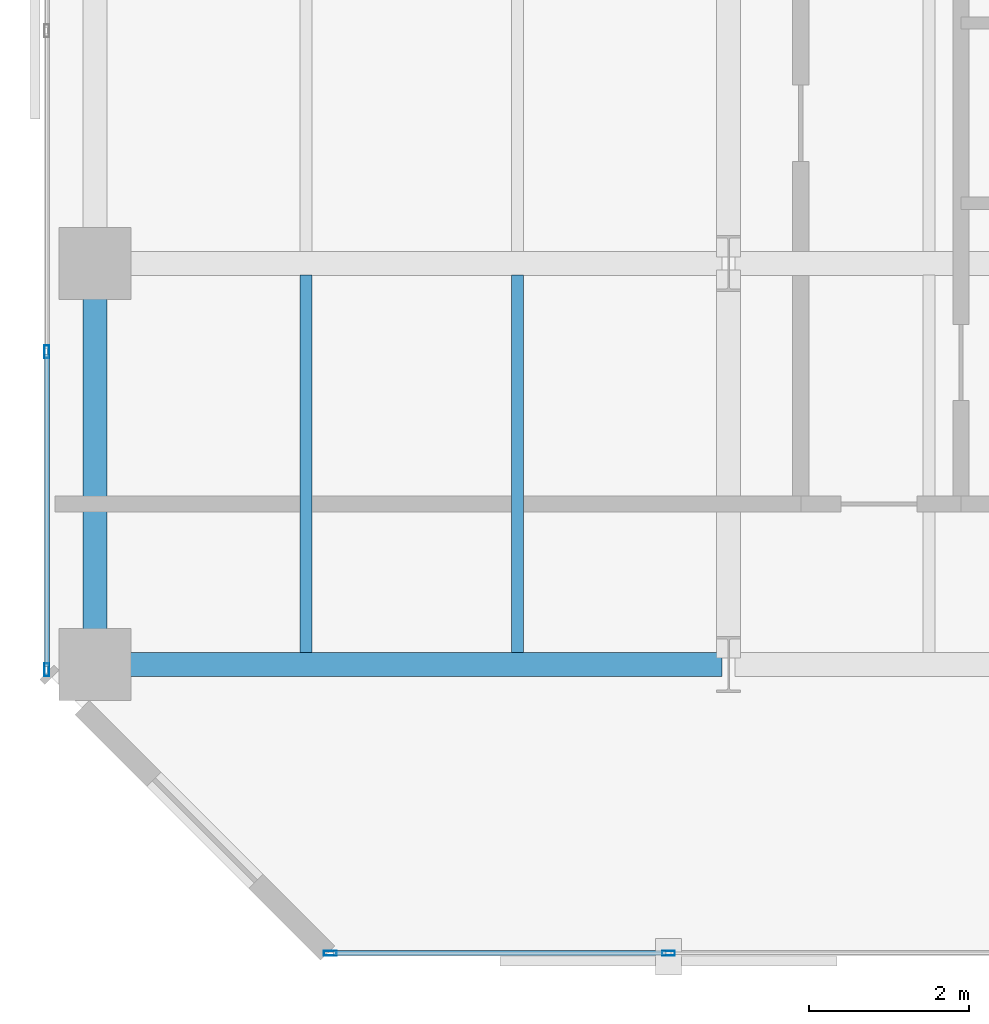
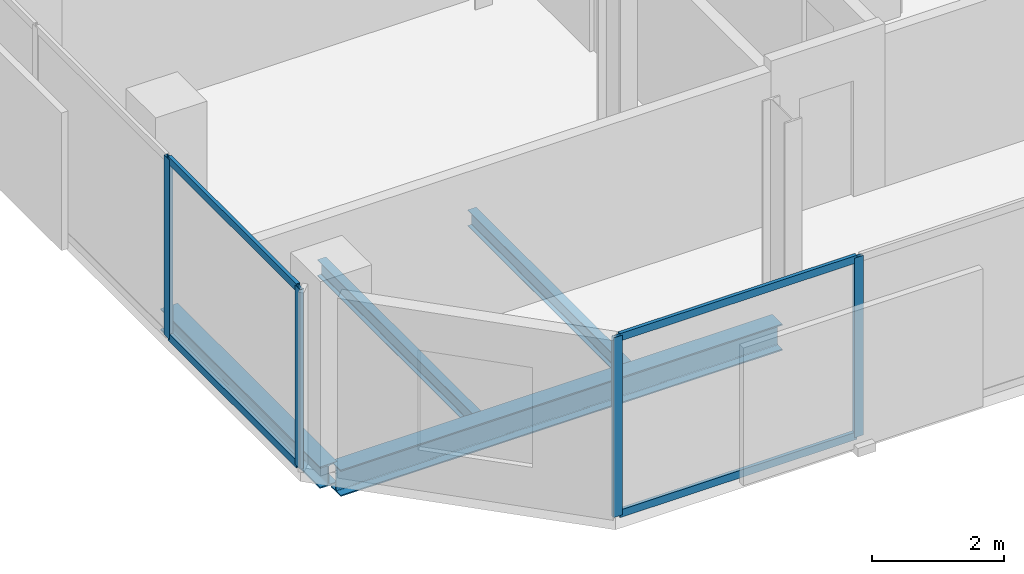
# One storey, part 3 of 34: 8 members, 4 beams, 2 elements without a shape of their own.
"""IFC4 building model written with IfcOpenShell, lengths in metres."""

from ifc_helpers import new_model, si_unit, direction, frame, origin, origin_2d, place, context, subcontext, project, spatial, hollow_rectangle, i_section, extrude, material, layer, layer_set, material_profile, profile_set, type_object, element, aggregate, save


model = new_model("IFC4")

# Units and contexts
model_context = context("Model", 3, precision=1e-05, world=origin(), true_north=direction((0.0, 1.0)))
body_context = subcontext(model_context, "Body", "Model", "MODEL_VIEW")
ifc_project = project(units=[si_unit("LENGTHUNIT", "METRE"), si_unit("AREAUNIT", "SQUARE_METRE"), si_unit("VOLUMEUNIT", "CUBIC_METRE"), si_unit("PLANEANGLEUNIT", "RADIAN"), si_unit("MASSUNIT", "GRAM", prefix="KILO")], contexts=[model_context])

# Site, building, storey
site_placement = place(None, origin())
site = spatial("IfcSite", under=ifc_project, at=site_placement, CompositionType="ELEMENT")
building_placement = place(site_placement, origin())
building = spatial("IfcBuilding", under=site, at=building_placement, Name="Catumbela Crestline Tower", CompositionType="ELEMENT")
storey_placement = place(building_placement, frame((0.0, 0.0, 93.6)))
storey = spatial("IfcBuildingStorey", under=building, at=storey_placement, Name="L23", CompositionType="ELEMENT", Elevation=93.6)

# Beams
ifc_material_1 = material(Name="Structural steel S355J2", Category="steel")
ifc_material_profile_1 = material_profile(ifc_material_1, i_section(OverallWidth=0.3, OverallDepth=0.49, WebThickness=0.012, FlangeThickness=0.023, FilletRadius=0.027, at=origin_2d()), Name="HEA 500")
ifc_profile_set_1 = profile_set([ifc_material_profile_1], Name="Structural steel S355J2")
beam_type_1 = type_object("IfcBeamType", Name="BG-HEA500", PredefinedType="BEAM", material=ifc_profile_set_1)
beam_1_placement = place(storey_placement, frame((0.68, 8.6, -0.505), z_axis=(1.0, 0.0, 0.0), x_axis=(0.0, 1.0, 0.0)))
element("IfcBeam", 1, at=beam_1_placement, inside=storey, type_object=beam_type_1, Name="L23 Beam BM-L23-WEW43", PredefinedType="BEAM", context=body_context, shape_type="SweptSolid", body=[
    extrude(i_section(OverallWidth=0.3, OverallDepth=0.49, WebThickness=0.012, FlangeThickness=0.023, FilletRadius=0.027, at=origin_2d()), origin(), (0.0, 0.0, 1.0), 7.74),
])
ifc_material_profile_2 = material_profile(ifc_material_1, i_section(OverallWidth=0.15, OverallDepth=0.3, WebThickness=0.0071, FlangeThickness=0.0107, FilletRadius=0.015, at=origin_2d()), Name="IPE 300")
ifc_profile_set_2 = profile_set([ifc_material_profile_2], Name="Structural steel S355J2")
beam_type_2 = type_object("IfcBeamType", Name="BJ-IPE300", PredefinedType="JOIST", material=ifc_profile_set_2)
for number, where, z_axis, x_axis, name in (
    (2, (3.233, 8.747, -0.41), (0.0, 1.0, 0.0), (-1.0, 0.0, 0.0), "L23 Joist JS-L23-WG63"),
    (3, (5.867, 8.747, -0.41), (0.0, 1.0, 0.0), (-1.0, 0.0, 0.0), "L23 Joist JS-L23-WG64"),
):
    element("IfcBeam", number, at=place(storey_placement, frame(where, z_axis=z_axis, x_axis=x_axis)), inside=storey, type_object=beam_type_2, Name=name, PredefinedType="JOIST", context=body_context, shape_type="SweptSolid", body=[
        extrude(i_section(OverallWidth=0.15, OverallDepth=0.3, WebThickness=0.0071, FlangeThickness=0.0107, FilletRadius=0.015, at=origin_2d()), origin(), (0.0, 0.0, 1.0), 4.706),
    ])

# Curtain wall, members
ifc_material_2 = material(Name="Aluminium alloy AW-6060-T66", Category="aluminium")
ifc_layer = layer(ifc_material_2, 0.18, Name="Aluminium alloy AW-6060-T66")
ifc_layer_set = layer_set([ifc_layer], Name="Aluminium alloy AW-6060-T66")
curtain_wall_type = type_object("IfcCurtainWallType", Name="CWU-Z2", PredefinedType="USERDEFINED", material=ifc_layer_set)
curtain_wall_1_placement = place(storey_placement, origin())
curtain_wall_1 = element("IfcCurtainWall", 4, at=curtain_wall_1_placement, inside=storey, type_object=curtain_wall_type, Name="L23 Unitised Curtain Wall CW-L23-E0S1", ObjectType="UNITISED", PredefinedType="USERDEFINED")
ifc_material_profile_3 = material_profile(ifc_material_2, hollow_rectangle(XDim=0.06, YDim=0.16, WallThickness=0.004, at=origin_2d()), Name="ALU 160x60x4")
ifc_profile_set_3 = profile_set([ifc_material_profile_3], Name="Aluminium alloy AW-6060-T66")
member_type_1 = type_object("IfcMemberType", Name="MUL-160X60", PredefinedType="MULLION", material=ifc_profile_set_3)
member_1_placement = place(storey_placement, frame((3.5325, 5.0, 0.0), z_axis=(0.0, 0.0, 1.0), x_axis=(0.0, 1.0, 0.0)))
member_1 = element("IfcMember", 5, at=member_1_placement, type_object=member_type_1, Name="CWU-Z2 mullion 1", PredefinedType="MULLION", context=body_context, shape_type="SweptSolid", body=[
    extrude(hollow_rectangle(XDim=0.06, YDim=0.16, WallThickness=0.004, at=origin_2d()), origin(), (0.0, 0.0, 1.0), 3.33),
])
member_2_placement = place(storey_placement, frame((7.75, 5.0, 0.0), z_axis=(0.0, 0.0, 1.0), x_axis=(0.0, 1.0, 0.0)))
member_2 = element("IfcMember", 6, at=member_2_placement, type_object=member_type_1, Name="CWU-Z2 mullion 2", PredefinedType="MULLION", context=body_context, shape_type="SweptSolid", body=[
    extrude(hollow_rectangle(XDim=0.06, YDim=0.16, WallThickness=0.004, at=origin_2d()), origin(), (0.0, 0.0, 1.0), 3.33),
])

curtain_wall_2_placement = place(storey_placement, origin())
curtain_wall_2 = element("IfcCurtainWall", 7, at=curtain_wall_2_placement, inside=storey, type_object=curtain_wall_type, Name="L23 Unitised Curtain Wall CW-L23-E9S1", ObjectType="UNITISED", PredefinedType="USERDEFINED")
member_3_placement = place(storey_placement, frame((0.0, 12.5, 0.0), z_axis=(0.0, 0.0, 1.0), x_axis=(1.0, 0.0, 0.0)))
member_3 = element("IfcMember", 8, at=member_3_placement, type_object=member_type_1, Name="CWU-Z2 mullion 9", PredefinedType="MULLION", context=body_context, shape_type="SweptSolid", body=[
    extrude(hollow_rectangle(XDim=0.06, YDim=0.16, WallThickness=0.004, at=origin_2d()), origin(), (0.0, 0.0, 1.0), 3.33),
])
member_4_placement = place(storey_placement, frame((0.0, 8.5325, 0.0), z_axis=(0.0, 0.0, 1.0), x_axis=(1.0, 0.0, 0.0)))
member_4 = element("IfcMember", 9, at=member_4_placement, type_object=member_type_1, Name="CWU-Z2 mullion 10", PredefinedType="MULLION", context=body_context, shape_type="SweptSolid", body=[
    extrude(hollow_rectangle(XDim=0.06, YDim=0.16, WallThickness=0.004, at=origin_2d()), origin(), (0.0, 0.0, 1.0), 3.33),
])

# Beam
ifc_material_profile_4 = material_profile(ifc_material_1, i_section(OverallWidth=0.3, OverallDepth=0.4, WebThickness=0.0135, FlangeThickness=0.024, FilletRadius=0.027, at=origin_2d()), Name="HEB 400")
ifc_profile_set_4 = profile_set([ifc_material_profile_4], Name="Structural steel S355J2")
beam_type_3 = type_object("IfcBeamType", Name="BS-HEB400", PredefinedType="SPANDREL", material=ifc_profile_set_4)
beam_2_placement = place(storey_placement, frame((0.6, 8.68, -0.46), z_axis=(0.0, 1.0, 0.0), x_axis=(-1.0, 0.0, 0.0)))
element("IfcBeam", 10, at=beam_2_placement, inside=storey, type_object=beam_type_3, Name="L23 Spandrel SP-L23-WNS52", PredefinedType="SPANDREL", context=body_context, shape_type="SweptSolid", body=[
    extrude(i_section(OverallWidth=0.3, OverallDepth=0.4, WebThickness=0.0135, FlangeThickness=0.024, FilletRadius=0.027, at=origin_2d()), origin(), (0.0, 0.0, 1.0), 4.84),
])

# Member
ifc_material_profile_5 = material_profile(ifc_material_2, hollow_rectangle(XDim=0.06, YDim=0.14, WallThickness=0.004, at=origin_2d()), Name="ALU 140x60x4")
ifc_profile_set_5 = profile_set([ifc_material_profile_5], Name="Aluminium alloy AW-6060-T66")
member_type_2 = type_object("IfcMemberType", Name="TRN-140X60", PredefinedType="USERDEFINED", material=ifc_profile_set_5)
member_5_placement = place(storey_placement, frame((3.565, 5.0, 0.03), z_axis=(1.0, 0.0, 0.0), x_axis=(0.0, 1.0, 0.0)))
member_5 = element("IfcMember", 11, at=member_5_placement, type_object=member_type_2, Name="CWU-Z2 transom 1.1", ObjectType="TRANSOM", PredefinedType="USERDEFINED", context=body_context, shape_type="SweptSolid", body=[
    extrude(hollow_rectangle(XDim=0.06, YDim=0.14, WallThickness=0.004, at=origin_2d()), origin(), (0.0, 0.0, 1.0), 4.1525),
])

member_6_placement = place(storey_placement, frame((3.565, 5.0, 3.3), z_axis=(1.0, 0.0, 0.0), x_axis=(0.0, 1.0, 0.0)))
member_6 = element("IfcMember", 12, at=member_6_placement, type_object=member_type_2, Name="CWU-Z2 transom 1.2", ObjectType="TRANSOM", PredefinedType="USERDEFINED", context=body_context, shape_type="SweptSolid", body=[
    extrude(hollow_rectangle(XDim=0.06, YDim=0.14, WallThickness=0.004, at=origin_2d()), origin(), (0.0, 0.0, 1.0), 4.1525),
])

aggregate(curtain_wall_1, [member_1, member_2, member_5, member_6])

member_7_placement = place(storey_placement, frame((0.0, 12.4675, 0.03), z_axis=(0.0, -1.0, 0.0), x_axis=(1.0, 0.0, 0.0)))
member_7 = element("IfcMember", 13, at=member_7_placement, type_object=member_type_2, Name="CWU-Z2 transom 9.1", ObjectType="TRANSOM", PredefinedType="USERDEFINED", context=body_context, shape_type="SweptSolid", body=[
    extrude(hollow_rectangle(XDim=0.06, YDim=0.14, WallThickness=0.004, at=origin_2d()), origin(), (0.0, 0.0, 1.0), 3.9025),
])

member_8_placement = place(storey_placement, frame((0.0, 12.4675, 3.3), z_axis=(0.0, -1.0, 0.0), x_axis=(1.0, 0.0, 0.0)))
member_8 = element("IfcMember", 14, at=member_8_placement, type_object=member_type_2, Name="CWU-Z2 transom 9.2", ObjectType="TRANSOM", PredefinedType="USERDEFINED", context=body_context, shape_type="SweptSolid", body=[
    extrude(hollow_rectangle(XDim=0.06, YDim=0.14, WallThickness=0.004, at=origin_2d()), origin(), (0.0, 0.0, 1.0), 3.9025),
])

aggregate(curtain_wall_2, [member_3, member_4, member_7, member_8])

save(model, "model.ifc")
